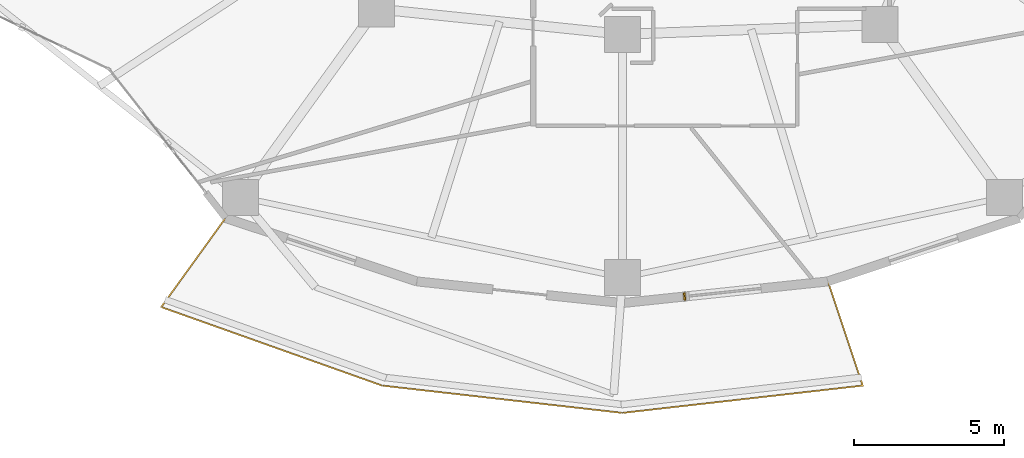
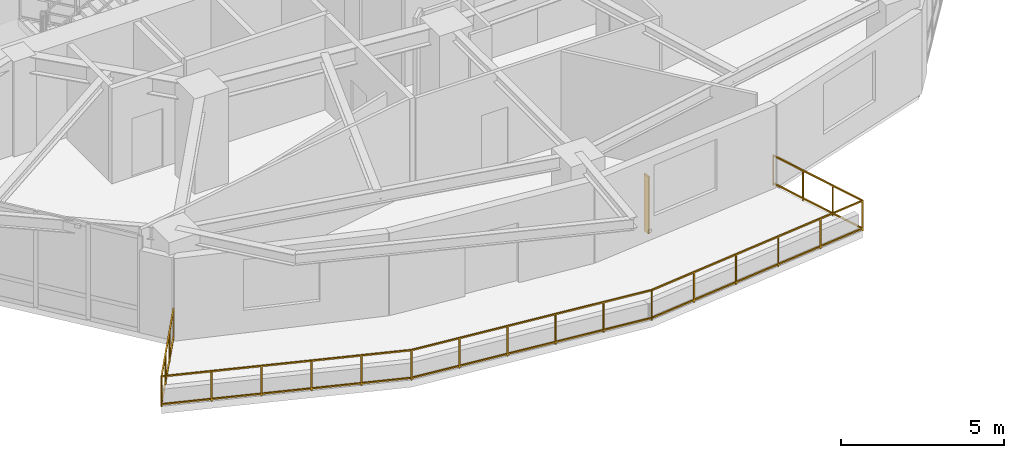
# One storey, part 15 of 18: 1 railing, 1 shading device.
"""IFC4 building model written with IfcOpenShell, lengths in metres."""

import ifcopenshell
import ifcopenshell.guid

model = None  # the IFC model being written
_history = None  # IfcOwnerHistory: only IFC2X3 demands one
_inside = {}  # id of a spatial element -> (the spatial element, [elements in it])
_under = {}  # id of a project, library or spatial element -> (it, [spatial elements below it])
_declared = {}  # id of a project -> (the project, [libraries it declares])
_typed = {}  # id of a type object -> (the type object, [elements of that type])
_made_of = {}  # id of a material, layer set ... -> (it, [elements and type objects made of it])


def new_model(schema):
    """Start an empty IFC model of exactly this schema.

    Asked for "IFC4X3", IfcOpenShell would pick the latest addendum, in which some entities
    have other attributes; the version numbers below select the first issue.
    IFC2X3 requires an IfcOwnerHistory on every rooted entity: one is made here for all.
    """
    global model, _history
    if schema == "IFC4X3":
        model = ifcopenshell.file(schema_version=(4, 3, 0, 0))
    else:
        model = ifcopenshell.file(schema=schema)
    _inside.clear()
    _under.clear()
    _declared.clear()
    _typed.clear()
    _made_of.clear()
    _history = None
    if model.schema == "IFC2X3":
        org = make("IfcOrganization", Name="unknown")
        user = make(
            "IfcPersonAndOrganization",
            ThePerson=make("IfcPerson", FamilyName="unknown"),
            TheOrganization=org,
        )
        app = make(
            "IfcApplication",
            ApplicationDeveloper=org,
            Version="unknown",
            ApplicationFullName="unknown",
            ApplicationIdentifier="unknown",
        )
        _history = make(
            "IfcOwnerHistory",
            OwningUser=user,
            OwningApplication=app,
            ChangeAction="ADDED",
            CreationDate=0,
        )
    return model


def make(cls, **values):
    """One entity of the class cls with the attributes given. An attribute that is None is left unset."""
    return model.create_entity(
        cls, **{name: value for name, value in values.items() if value is not None}
    )


def rooted(cls, **values):
    """An entity with a GlobalId (a new one), such as an element, a storey or a relation."""
    return make(cls, GlobalId=ifcopenshell.guid.new(), OwnerHistory=_history, **values)


def si_unit(unit_type, name, prefix=None):
    """IfcSIUnit, for example si_unit("LENGTHUNIT", "METRE", prefix="MILLI")."""
    return make("IfcSIUnit", UnitType=unit_type, Prefix=prefix, Name=name)


def assignment(units):
    """IfcUnitAssignment: the units of a project."""
    return None if units is None else make("IfcUnitAssignment", Units=units)


def point(xyz):
    """IfcCartesianPoint."""
    return None if xyz is None else make("IfcCartesianPoint", Coordinates=xyz)


def direction(xyz):
    """IfcDirection."""
    return None if xyz is None else make("IfcDirection", DirectionRatios=xyz)


def frame(location, z_axis=None, x_axis=None):
    """IfcAxis2Placement3D, a coordinate frame: its origin and axes. An axis left out is left unset."""
    return make(
        "IfcAxis2Placement3D",
        Location=point(location),
        Axis=direction(z_axis),
        RefDirection=direction(x_axis),
    )


def frame_2d(location, x_axis=None):
    """IfcAxis2Placement2D, a coordinate frame in the plane: its origin and x axis."""
    return make(
        "IfcAxis2Placement2D", Location=point(location), RefDirection=direction(x_axis)
    )


def origin():
    """The frame at (0, 0, 0) with its axes left unset."""
    return frame((0.0, 0.0, 0.0))


def origin_2d():
    """The frame at (0, 0) in the plane with its x axis left unset."""
    return frame_2d((0.0, 0.0))


def place(relative_to, where):
    """IfcLocalPlacement: puts the frame where relative to a parent placement (None: the world)."""
    return make(
        "IfcLocalPlacement", PlacementRelTo=relative_to, RelativePlacement=where
    )


def context(
    kind, dimensions, precision=None, world=None, true_north=None, identifier=None
):
    """IfcGeometricRepresentationContext, for example the 3D "Model" context."""
    return make(
        "IfcGeometricRepresentationContext",
        ContextIdentifier=identifier,
        ContextType=kind,
        CoordinateSpaceDimension=dimensions,
        Precision=precision,
        WorldCoordinateSystem=world,
        TrueNorth=true_north,
    )


def subcontext(parent, identifier, kind, view, scale=None):
    """IfcGeometricRepresentationSubContext, for example "Body" below "Model"."""
    return make(
        "IfcGeometricRepresentationSubContext",
        ContextIdentifier=identifier,
        ContextType=kind,
        ParentContext=parent,
        TargetScale=scale,
        TargetView=view,
    )


def project(units=None, contexts=None):
    """IfcProject with its units and contexts."""
    return rooted(
        "IfcProject",
        Name="project",
        RepresentationContexts=contexts,
        UnitsInContext=assignment(units),
    )


def spatial(cls, under=None, at=None, **own):
    """A site, building, storey or space (cls), placed at a placement, below another one or the project."""
    s = rooted(cls, ObjectPlacement=at, **own)
    if under is not None:
        _under.setdefault(under.id(), (under, []))[1].append(s)
    return s


def profile(cls, at=None, kind="AREA", **sizes):
    """A parametric profile (cls). Its sizes go by their IFC names, for example OverallWidth=200.0."""
    return make(cls, ProfileType=kind, Position=at, **sizes)


def rectangle(**sizes):
    """IfcRectangleProfileDef."""
    return profile("IfcRectangleProfileDef", **sizes)


def extrude(swept, where, along, depth):
    """IfcExtrudedAreaSolid: the profile swept, set in the frame where, extruded along a direction by depth."""
    return make(
        "IfcExtrudedAreaSolid",
        SweptArea=swept,
        Position=where,
        ExtrudedDirection=direction(along),
        Depth=depth,
    )


def shape(context_of_items, identifier, shape_type, items):
    """IfcShapeRepresentation: the items that make up one representation, for example the "Body"."""
    return make(
        "IfcShapeRepresentation",
        ContextOfItems=context_of_items,
        RepresentationIdentifier=identifier,
        RepresentationType=shape_type,
        Items=items,
    )


def material(Name=None, Category=None):
    """IfcMaterial."""
    return make("IfcMaterial", Name=Name, Category=Category)


def made_of(thing, what):
    """Note that an element or type object is made of a material, layer set ...; save() writes the relation."""
    if what is not None:
        _made_of.setdefault(what.id(), (what, []))[1].append(thing)
    return thing


def type_object(cls, material=None, **own):
    """A type object (cls), such as IfcWallType, which elements share."""
    return made_of(rooted(cls, **own), material)


def element(
    cls,
    number,
    at=None,
    inside=None,
    cuts=None,
    type_object=None,
    material=None,
    context=None,
    identifier="Body",
    shape_type=None,
    held_by="IfcProductDefinitionShape",
    body=None,
    shapes=None,
    **own,
):
    """One element of the class cls, such as IfcWall. Its Tag is "e" and its number.

    at: its placement. inside: the storey or other place that contains it. cuts: it is an
    opening in that element (IfcRelVoidsElement). A single representation is given by context,
    identifier, shape_type and body (its items); several are given by shapes. held_by: the class
    of the entity that holds the representations. save() writes the other relations.
    """
    e = rooted(cls, Tag="e%d" % number, ObjectPlacement=at, **own)
    if body is not None:
        shapes = [shape(context, identifier, shape_type, body)]
    if shapes is not None:
        e.Representation = make(held_by, Representations=shapes)
    if inside is not None:
        _inside.setdefault(inside.id(), (inside, []))[1].append(e)
    if cuts is not None:
        rooted(
            "IfcRelVoidsElement", RelatingBuildingElement=cuts, RelatedOpeningElement=e
        )
    if type_object is not None:
        _typed.setdefault(type_object.id(), (type_object, []))[1].append(e)
    return made_of(e, material)


def aggregate(whole, parts):
    """IfcRelAggregates: a whole, such as a stair, and the parts it consists of."""
    return rooted("IfcRelAggregates", RelatingObject=whole, RelatedObjects=parts)


def save(model, path):
    """Write the relations noted so far, then the file.

    IfcRelAggregates (storeys below a building ...), IfcRelContainedInSpatialStructure (elements
    in a storey), IfcRelDefinesByType, IfcRelAssociatesMaterial and IfcRelDeclares: one each for
    every whole, place, type object, material and project.
    """
    for whole, parts in _under.values():
        aggregate(whole, parts)
    for where, things in _inside.values():
        rooted(
            "IfcRelContainedInSpatialStructure",
            RelatedElements=things,
            RelatingStructure=where,
        )
    for kind, things in _typed.values():
        rooted("IfcRelDefinesByType", RelatedObjects=things, RelatingType=kind)
    for what, things in _made_of.values():
        rooted("IfcRelAssociatesMaterial", RelatedObjects=things, RelatingMaterial=what)
    for by, libraries in _declared.values():
        rooted("IfcRelDeclares", RelatingContext=by, RelatedDefinitions=libraries)
    model.write(path)


model = new_model("IFC4")

# Units and contexts
model_context = context("Model", 3, precision=1e-05, world=origin(), true_north=direction((0.0, 1.0)))
body_context = subcontext(model_context, "Body", "Model", "MODEL_VIEW")
ifc_project = project(units=[si_unit("LENGTHUNIT", "METRE"), si_unit("AREAUNIT", "SQUARE_METRE"), si_unit("VOLUMEUNIT", "CUBIC_METRE"), si_unit("PLANEANGLEUNIT", "RADIAN"), si_unit("MASSUNIT", "GRAM", prefix="KILO")], contexts=[model_context])

# Site, building, storey
site_placement = place(None, origin())
site = spatial("IfcSite", under=ifc_project, at=site_placement, CompositionType="ELEMENT")
building_placement = place(site_placement, origin())
building = spatial("IfcBuilding", under=site, at=building_placement, Name="Kolvaren Gate Tower and Convention Centre", CompositionType="ELEMENT")
storey_placement = place(building_placement, frame((0.0, 0.0, 53.449951171875)))
storey = spatial("IfcBuildingStorey", under=building, at=storey_placement, Name="L12", CompositionType="ELEMENT", Elevation=53.449951171875)

# Railing
ifc_material_1 = material(Name="Brushed Stainless Steel Grade 316L", Category="steel")
railing_type = type_object("IfcRailingType", Name="ARCH-RL-GUARD-1150", PredefinedType="GUARDRAIL", material=ifc_material_1)
railing_placement = place(storey_placement, frame((16.90625, 8.68359375, 0.0)))
element("IfcRailing", 1, at=railing_placement, inside=storey, type_object=railing_type, Name="Tower L12 Terrace Perimeter Guardrail GR-3", PredefinedType="GUARDRAIL", context=body_context, shape_type="SweptSolid", body=[
    extrude(rectangle(XDim=0.048095703125, YDim=0.048095703125, at=origin_2d()), frame((-0.016357421875, -0.022705078125, 1.1259765625), z_axis=(-0.585212870465, -0.810879705161, 0.0), x_axis=(0.810879705161, -0.585212870465, 0.0)), (0.0, 0.0, 1.0), 3.603759765625),
    extrude(rectangle(XDim=0.048095703125, YDim=0.048095703125, at=origin_2d()), frame((-0.016357421875, -0.022705078125, 0.083984375), z_axis=(-0.585212870465, -0.810879705161, 0.0), x_axis=(0.810879705161, -0.585212870465, 0.0)), (0.0, 0.0, 1.0), 3.603759765625),
    extrude(rectangle(XDim=0.048095703125, YDim=0.048095703125, at=origin_2d()), frame((-2.115478515625, -2.97705078125, 1.1259765625), z_axis=(0.942200211781, -0.335050385643, 0.0), x_axis=(0.335050385643, 0.942200211781, 0.0)), (0.0, 0.0, 1.0), 7.7509765625),
    extrude(rectangle(XDim=0.048095703125, YDim=0.048095703125, at=origin_2d()), frame((-2.115478515625, -2.97705078125, 0.083984375), z_axis=(0.942200211781, -0.335050385643, 0.0), x_axis=(0.335050385643, 0.942200211781, 0.0)), (0.0, 0.0, 1.0), 7.7509765625),
    extrude(rectangle(XDim=0.048095703125, YDim=0.048095703125, at=origin_2d()), frame((5.24169921875, -5.586669921875, 1.1259765625), z_axis=(0.993598144351, -0.112972242349, 0.0), x_axis=(0.112972242349, 0.993598144351, 0.0)), (0.0, 0.0, 1.0), 8.000244140625),
    extrude(rectangle(XDim=0.048095703125, YDim=0.048095703125, at=origin_2d()), frame((5.24169921875, -5.586669921875, 0.083984375), z_axis=(0.993598144351, -0.112972242349, 0.0), x_axis=(0.112972242349, 0.993598144351, 0.0)), (0.0, 0.0, 1.0), 8.000244140625),
    extrude(rectangle(XDim=0.048095703125, YDim=0.048095703125, at=origin_2d()), frame((13.24658203125, -6.490478515625, 1.1259765625), z_axis=(0.993598144351, 0.112972242349, 0.0), x_axis=(-0.112972242349, 0.993598144351, 0.0)), (0.0, 0.0, 1.0), 8.000244140625),
    extrude(rectangle(XDim=0.048095703125, YDim=0.048095703125, at=origin_2d()), frame((13.24658203125, -6.490478515625, 0.083984375), z_axis=(0.993598144351, 0.112972242349, 0.0), x_axis=(-0.112972242349, 0.993598144351, 0.0)), (0.0, 0.0, 1.0), 8.000244140625),
    extrude(rectangle(XDim=0.048095703125, YDim=0.048095703125, at=origin_2d()), frame((21.21484375, -5.556884765625, 1.1259765625), z_axis=(-0.317568160167, 0.94823544737, 0.0), x_axis=(-0.94823544737, -0.317568160167, 0.0)), (0.0, 0.0, 1.0), 3.60400390625),
    extrude(rectangle(XDim=0.048095703125, YDim=0.048095703125, at=origin_2d()), frame((21.21484375, -5.556884765625, 0.083984375), z_axis=(-0.317568160167, 0.94823544737, 0.0), x_axis=(-0.94823544737, -0.317568160167, 0.0)), (0.0, 0.0, 1.0), 3.60400390625),
    extrude(rectangle(XDim=0.0419921875, YDim=0.0419921875, at=origin_2d()), origin(), (0.0, 0.0, 1.0), 1.14990234375),
    extrude(rectangle(XDim=0.0419921875, YDim=0.0419921875, at=origin_2d()), frame((-2.141845703125, -2.9677734375, 0.0)), (0.0, 0.0, 1.0), 1.14990234375),
    extrude(rectangle(XDim=0.0419921875, YDim=0.0419921875, at=origin_2d()), frame((-0.7138671875, -0.9892578125, 0.0)), (0.0, 0.0, 1.0), 1.099853515625),
    extrude(rectangle(XDim=0.0419921875, YDim=0.0419921875, at=origin_2d()), frame((-1.427978515625, -1.978515625, 0.0)), (0.0, 0.0, 1.0), 1.099853515625),
    extrude(rectangle(XDim=0.0419921875, YDim=0.0419921875, at=origin_2d()), frame((5.2138671875, -5.58349609375, 0.0)), (0.0, 0.0, 1.0), 1.14990234375),
    extrude(rectangle(XDim=0.0419921875, YDim=0.0419921875, at=origin_2d()), frame((-0.670654296875, -3.490966796875, 0.0)), (0.0, 0.0, 1.0), 1.099853515625),
    extrude(rectangle(XDim=0.0419921875, YDim=0.0419921875, at=origin_2d()), frame((0.800537109375, -4.01416015625, 0.0)), (0.0, 0.0, 1.0), 1.099853515625),
    extrude(rectangle(XDim=0.0419921875, YDim=0.0419921875, at=origin_2d()), frame((2.271484375, -4.537109375, 0.0)), (0.0, 0.0, 1.0), 1.099853515625),
    extrude(rectangle(XDim=0.0419921875, YDim=0.0419921875, at=origin_2d()), frame((3.74267578125, -5.060302734375, 0.0)), (0.0, 0.0, 1.0), 1.099853515625),
    extrude(rectangle(XDim=0.0419921875, YDim=0.0419921875, at=origin_2d()), frame((13.21875, -6.49365234375, 0.0)), (0.0, 0.0, 1.0), 1.14990234375),
    extrude(rectangle(XDim=0.0419921875, YDim=0.0419921875, at=origin_2d()), frame((6.81494140625, -5.765625, 0.0)), (0.0, 0.0, 1.0), 1.099853515625),
    extrude(rectangle(XDim=0.0419921875, YDim=0.0419921875, at=origin_2d()), frame((8.415771484375, -5.947509765625, 0.0)), (0.0, 0.0, 1.0), 1.099853515625),
    extrude(rectangle(XDim=0.0419921875, YDim=0.0419921875, at=origin_2d()), frame((10.016845703125, -6.129638671875, 0.0)), (0.0, 0.0, 1.0), 1.099853515625),
    extrude(rectangle(XDim=0.0419921875, YDim=0.0419921875, at=origin_2d()), frame((11.61767578125, -6.3115234375, 0.0)), (0.0, 0.0, 1.0), 1.099853515625),
    extrude(rectangle(XDim=0.0419921875, YDim=0.0419921875, at=origin_2d()), frame((21.2236328125, -5.58349609375, 0.0)), (0.0, 0.0, 1.0), 1.14990234375),
    extrude(rectangle(XDim=0.0419921875, YDim=0.0419921875, at=origin_2d()), frame((14.81982421875, -6.3115234375, 0.0)), (0.0, 0.0, 1.0), 1.099853515625),
    extrude(rectangle(XDim=0.0419921875, YDim=0.0419921875, at=origin_2d()), frame((16.420654296875, -6.129638671875, 0.0)), (0.0, 0.0, 1.0), 1.099853515625),
    extrude(rectangle(XDim=0.0419921875, YDim=0.0419921875, at=origin_2d()), frame((18.021728515625, -5.947509765625, 0.0)), (0.0, 0.0, 1.0), 1.099853515625),
    extrude(rectangle(XDim=0.0419921875, YDim=0.0419921875, at=origin_2d()), frame((19.62255859375, -5.765625, 0.0)), (0.0, 0.0, 1.0), 1.099853515625),
    extrude(rectangle(XDim=0.0419921875, YDim=0.0419921875, at=origin_2d()), frame((20.061279296875, -2.11279296875, 0.0)), (0.0, 0.0, 1.0), 1.14990234375),
    extrude(rectangle(XDim=0.0419921875, YDim=0.0419921875, at=origin_2d()), frame((20.836181640625, -4.426513671875, 0.0)), (0.0, 0.0, 1.0), 1.099853515625),
    extrude(rectangle(XDim=0.0419921875, YDim=0.0419921875, at=origin_2d()), frame((20.44873046875, -3.269775390625, 0.0)), (0.0, 0.0, 1.0), 1.099853515625),
])

# Shading device
ifc_material_2 = material(Name="Kiln-Fired Bogota Terracotta Ceramic Louvre Profile", Category="masonry")
shading_device_type = type_object("IfcShadingDeviceType", Name="ARCH-SHD-FIN-180", PredefinedType="JALOUSIE", material=ifc_material_2)
shading_device_placement = place(storey_placement, frame((32.193603515625, 6.06787109375, 0.22021484375), z_axis=(0.0, 0.0, 1.0), x_axis=(0.994498884311, 0.104747167526, 0.0)))
element("IfcShadingDevice", 2, at=shading_device_placement, inside=storey, type_object=shading_device_type, Name="Ceramic Vertical Brise-Soleil Fin FN-L12-18", PredefinedType="JALOUSIE", context=body_context, shape_type="SweptSolid", body=[
    extrude(rectangle(XDim=0.06005859375, YDim=0.239990234375, at=origin_2d()), origin(), (0.0, 0.0, 1.0), 2.14990234375),
])

save(model, "model.ifc")
